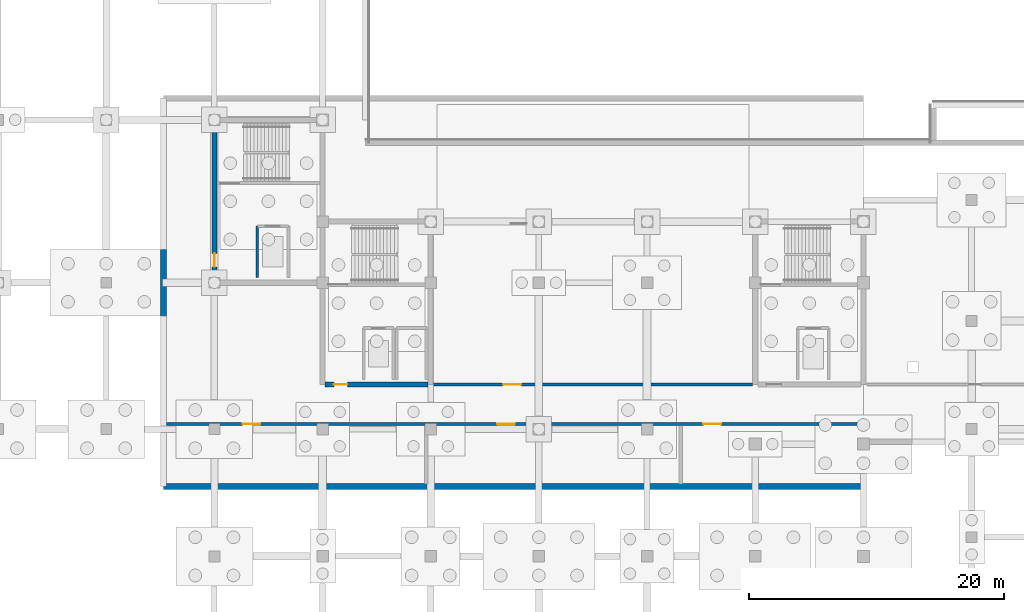
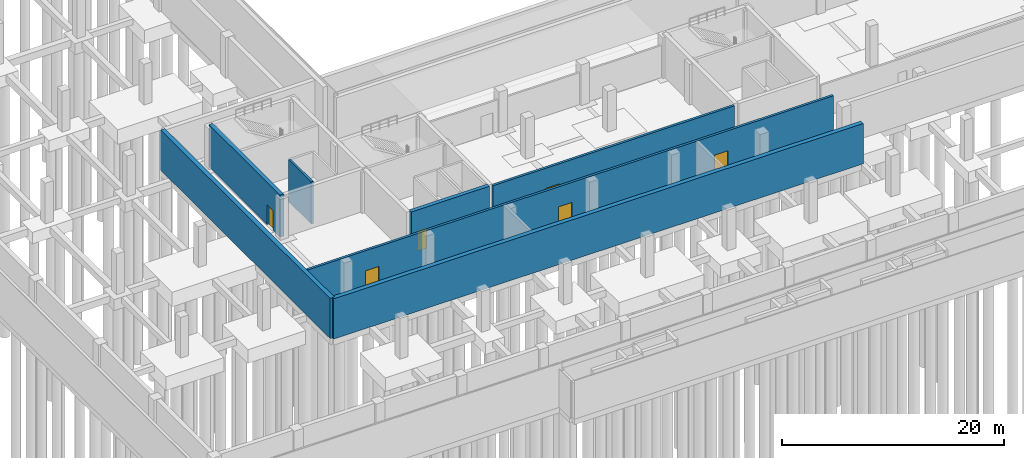
# One storey, part 9 of 25: 7 walls, 6 doors, 6 openings.
"""IFC4 building model written with IfcOpenShell, lengths in metres."""

from ifc_helpers import new_model, si_unit, direction, frame, frame_2d, origin, place, context, subcontext, project, spatial, rectangle, extrude, material, layer, layer_set, type_object, element, fill, save


model = new_model("IFC4")

# Units and contexts
model_context = context("Model", 3, precision=1e-05, world=origin(), true_north=direction((0.0, 1.0)))
body_context = subcontext(model_context, "Body", "Model", "MODEL_VIEW")
ifc_project = project(units=[si_unit("LENGTHUNIT", "METRE"), si_unit("AREAUNIT", "SQUARE_METRE"), si_unit("VOLUMEUNIT", "CUBIC_METRE"), si_unit("PLANEANGLEUNIT", "RADIAN"), si_unit("MASSUNIT", "GRAM", prefix="KILO")], contexts=[model_context])

# Site, building, storey
site_placement = place(None, origin())
site = spatial("IfcSite", under=ifc_project, at=site_placement, CompositionType="ELEMENT")
building_placement = place(site_placement, origin())
building = spatial("IfcBuilding", under=site, at=building_placement, Name="Solvikara Media Centre", CompositionType="ELEMENT")
storey_placement = place(building_placement, frame((0.0, 0.0, -4.800048828125)))
storey = spatial("IfcBuildingStorey", under=building, at=storey_placement, Name="B01", CompositionType="ELEMENT", Elevation=-4.800048828125)

# Walls
ifc_material_1 = material(Name="Concrete fc' 45 MPa (C45/55)", Category="concrete")
ifc_layer_1 = layer(ifc_material_1, 0.449951171875)
ifc_layer_set_1 = layer_set([ifc_layer_1], Name="Concrete fc' 45 MPa (C45/55)")
wall_type_1 = type_object("IfcWallType", Name="WT-01", PredefinedType="SHEAR", material=ifc_layer_set_1)
wall_1_placement = place(storey_placement, frame((21.5, 16.0, 0.0), z_axis=(0.0, 0.0, 1.0), x_axis=(1.0, 0.0, 0.0)))
element("IfcWall", 1, at=wall_1_placement, inside=storey, type_object=wall_type_1, Name="W-B01-01", PredefinedType="SHEAR", context=body_context, shape_type="SweptSolid", body=[
    extrude(rectangle(XDim=55.0, YDim=0.449951171875, at=frame_2d((27.5, 0.0))), origin(), (0.0, 0.0, 1.0), 4.420166015625),
])
wall_2_placement = place(storey_placement, frame((21.5, 16.0, 0.0), z_axis=(0.0, 0.0, 1.0), x_axis=(0.0, 1.0, 0.0)))
element("IfcWall", 2, at=wall_2_placement, inside=storey, type_object=wall_type_1, Name="W-B01-02", PredefinedType="SHEAR", context=body_context, shape_type="SweptSolid", body=[
    extrude(rectangle(XDim=30.5, YDim=0.449951171875, at=frame_2d((15.25, 0.0))), origin(), (0.0, 0.0, 1.0), 4.420166015625),
])

# Wall, opening, door
ifc_layer_2 = layer(ifc_material_1, 0.39990234375)
ifc_layer_set_2 = layer_set([ifc_layer_2], Name="Concrete fc' 45 MPa (C45/55)")
wall_type_2 = type_object("IfcWallType", Name="WT-02", PredefinedType="SHEAR", material=ifc_layer_set_2)
wall_3_placement = place(storey_placement, frame((25.5, 32.0, 0.0), z_axis=(0.0, 0.0, 1.0), x_axis=(0.0, 1.0, 0.0)))
wall_3 = element("IfcWall", 3, at=wall_3_placement, inside=storey, type_object=wall_type_2, Name="CW-C1-B01-W", PredefinedType="SHEAR", context=body_context, shape_type="SweptSolid", body=[
    extrude(rectangle(XDim=12.800048828125, YDim=0.39990234375, at=frame_2d((6.39990234375, 0.0))), origin(), (0.0, 0.0, 1.0), 4.64013671875),
])
opening_1_placement = place(wall_3_placement, frame((1.25, 0.0, 0.0)))
opening_1 = element("IfcOpeningElement", 4, at=opening_1_placement, cuts=wall_3, Name="Opening D-C1-B01-LOB", PredefinedType="OPENING", context=body_context, shape_type="SweptSolid", body=[
    extrude(rectangle(XDim=1.050048828125, YDim=2.14990234375, at=frame_2d((0.52490234375, 1.074951171875))), frame((0.0, 0.2119140625, 0.0), z_axis=(0.0, -1.0, 0.0), x_axis=(1.0, 0.0, 0.0)), (0.0, 0.0, 1.0), 0.423828125),
])
ifc_material_2 = material(Name="Insulated fire-rated steel door leaf", Category="steel")
door_type_1 = type_object("IfcDoorType", Name="DT-10", OperationType="NOTDEFINED", PredefinedType="DOOR", material=ifc_material_2)
door_1_placement = place(opening_1_placement, origin())
door_1 = element("IfcDoor", 5, at=door_1_placement, inside=storey, type_object=door_type_1, Name="D-C1-B01-LOB", OperationType="SINGLE_SWING_RIGHT", OverallHeight=2.14990234375, OverallWidth=1.050048828125, PredefinedType="DOOR", context=body_context, shape_type="SweptSolid", body=[
    extrude(rectangle(XDim=1.050048828125, YDim=2.14990234375, at=frame_2d((0.52490234375, 1.074951171875))), frame((0.0, 0.02490234375, 0.0), z_axis=(0.0, -1.0, 0.0), x_axis=(1.0, 0.0, 0.0)), (0.0, 0.0, 1.0), 0.050048828125),
])
fill(opening_1, door_1)

wall_4_placement = place(storey_placement, frame((34.199951171875, 24.0, 0.0), z_axis=(0.0, 0.0, 1.0), x_axis=(1.0, 0.0, 0.0)))
wall_4 = element("IfcWall", 6, at=wall_4_placement, inside=storey, type_object=wall_type_2, Name="CW-C2-B01-S", PredefinedType="SHEAR", context=body_context, shape_type="SweptSolid", body=[
    extrude(rectangle(XDim=8.10009765625, YDim=0.39990234375, at=frame_2d((4.050048828125, 0.0))), origin(), (0.0, 0.0, 1.0), 4.64013671875),
])
opening_2_placement = place(wall_4_placement, frame((0.699951171875, 0.0, 0.0)))
opening_2 = element("IfcOpeningElement", 7, at=opening_2_placement, cuts=wall_4, Name="Opening D-C2-B01-LOB", PredefinedType="OPENING", context=body_context, shape_type="SweptSolid", body=[
    extrude(rectangle(XDim=1.050048828125, YDim=2.14990234375, at=frame_2d((0.52490234375, 1.074951171875))), frame((0.0, 0.2119140625, 0.0), z_axis=(0.0, -1.0, 0.0), x_axis=(1.0, 0.0, 0.0)), (0.0, 0.0, 1.0), 0.423828125),
])
door_2_placement = place(opening_2_placement, frame((1.050048828125, 0.0, 0.0), z_axis=(0.0, 0.0, 1.0), x_axis=(-1.0, 0.0, 0.0)))
door_2 = element("IfcDoor", 8, at=door_2_placement, inside=storey, type_object=door_type_1, Name="D-C2-B01-LOB", OperationType="SINGLE_SWING_RIGHT", OverallHeight=2.14990234375, OverallWidth=1.050048828125, PredefinedType="DOOR", context=body_context, shape_type="SweptSolid", body=[
    extrude(rectangle(XDim=1.050048828125, YDim=2.14990234375, at=frame_2d((0.52490234375, 1.074951171875))), frame((0.0, 0.02490234375, 0.0), z_axis=(0.0, -1.0, 0.0), x_axis=(1.0, 0.0, 0.0)), (0.0, 0.0, 1.0), 0.050048828125),
])
fill(opening_2, door_2)

# Wall, openings, doors
ifc_layer_3 = layer(ifc_material_1, 0.25)
ifc_layer_set_3 = layer_set([ifc_layer_3], Name="Concrete fc' 45 MPa (C45/55)")
wall_type_3 = type_object("IfcWallType", Name="WT-07", PredefinedType="STANDARD", material=ifc_layer_set_3)
wall_5_placement = place(storey_placement, frame((21.719970703125, 20.89990234375, 0.0), z_axis=(0.0, 0.0, 1.0), x_axis=(1.0, 0.0, 0.0)))
wall_5 = element("IfcWall", 9, at=wall_5_placement, inside=storey, type_object=wall_type_3, Name="PW-B01-001", PredefinedType="STANDARD", context=body_context, shape_type="SweptSolid", body=[
    extrude(rectangle(XDim=54.580078125, YDim=0.25, at=frame_2d((27.2900390625, 0.0))), origin(), (0.0, 0.0, 1.0), 4.5),
])
opening_3_placement = place(wall_5_placement, frame((6.0, 0.0, 0.0)))
opening_3 = element("IfcOpeningElement", 10, at=opening_3_placement, cuts=wall_5, Name="Opening D-B01-001-1", PredefinedType="OPENING", context=body_context, shape_type="SweptSolid", body=[
    extrude(rectangle(XDim=1.39990234375, YDim=2.300048828125, at=frame_2d((0.699951171875, 1.14990234375))), frame((0.0, 0.136962890625, 0.0), z_axis=(0.0, -1.0, 0.0), x_axis=(1.0, 0.0, 0.0)), (0.0, 0.0, 1.0), 0.27392578125),
])
opening_4_placement = place(wall_5_placement, frame((26.0, 0.0, 0.0)))
opening_4 = element("IfcOpeningElement", 11, at=opening_4_placement, cuts=wall_5, Name="Opening D-B01-001-2", PredefinedType="OPENING", context=body_context, shape_type="SweptSolid", body=[
    extrude(rectangle(XDim=1.39990234375, YDim=2.300048828125, at=frame_2d((0.699951171875, 1.14990234375))), frame((0.0, 0.136962890625, 0.0), z_axis=(0.0, -1.0, 0.0), x_axis=(1.0, 0.0, 0.0)), (0.0, 0.0, 1.0), 0.27392578125),
])
opening_5_placement = place(wall_5_placement, frame((42.199951171875, 0.0, 0.0)))
opening_5 = element("IfcOpeningElement", 12, at=opening_5_placement, cuts=wall_5, Name="Opening D-B01-001-3", PredefinedType="OPENING", context=body_context, shape_type="SweptSolid", body=[
    extrude(rectangle(XDim=1.39990234375, YDim=2.300048828125, at=frame_2d((0.699951171875, 1.14990234375))), frame((0.0, 0.136962890625, 0.0), z_axis=(0.0, -1.0, 0.0), x_axis=(1.0, 0.0, 0.0)), (0.0, 0.0, 1.0), 0.27392578125),
])
door_type_2 = type_object("IfcDoorType", Name="DT-14", OperationType="DOUBLE_DOOR_SINGLE_SWING", PredefinedType="DOOR", material=ifc_material_2)
door_3_placement = place(opening_3_placement, origin())
door_3 = element("IfcDoor", 13, at=door_3_placement, inside=storey, type_object=door_type_2, Name="D-B01-001-1", OperationType="DOUBLE_DOOR_SINGLE_SWING", OverallHeight=2.300048828125, OverallWidth=1.39990234375, PredefinedType="DOOR", context=body_context, shape_type="SweptSolid", body=[
    extrude(rectangle(XDim=1.39990234375, YDim=2.300048828125, at=frame_2d((0.699951171875, 1.14990234375))), frame((0.0, 0.02490234375, 0.0), z_axis=(0.0, -1.0, 0.0), x_axis=(1.0, 0.0, 0.0)), (0.0, 0.0, 1.0), 0.050048828125),
])
fill(opening_3, door_3)
door_4_placement = place(opening_4_placement, origin())
door_4 = element("IfcDoor", 14, at=door_4_placement, inside=storey, type_object=door_type_2, Name="D-B01-001-2", OperationType="DOUBLE_DOOR_SINGLE_SWING", OverallHeight=2.300048828125, OverallWidth=1.39990234375, PredefinedType="DOOR", context=body_context, shape_type="SweptSolid", body=[
    extrude(rectangle(XDim=1.39990234375, YDim=2.300048828125, at=frame_2d((0.699951171875, 1.14990234375))), frame((0.0, 0.02490234375, 0.0), z_axis=(0.0, -1.0, 0.0), x_axis=(1.0, 0.0, 0.0)), (0.0, 0.0, 1.0), 0.050048828125),
])
fill(opening_4, door_4)
door_5_placement = place(opening_5_placement, origin())
door_5 = element("IfcDoor", 15, at=door_5_placement, inside=storey, type_object=door_type_2, Name="D-B01-001-3", OperationType="DOUBLE_DOOR_SINGLE_SWING", OverallHeight=2.300048828125, OverallWidth=1.39990234375, PredefinedType="DOOR", context=body_context, shape_type="SweptSolid", body=[
    extrude(rectangle(XDim=1.39990234375, YDim=2.300048828125, at=frame_2d((0.699951171875, 1.14990234375))), frame((0.0, 0.02490234375, 0.0), z_axis=(0.0, -1.0, 0.0), x_axis=(1.0, 0.0, 0.0)), (0.0, 0.0, 1.0), 0.050048828125),
])
fill(opening_5, door_5)

# Wall, opening, door
wall_6_placement = place(storey_placement, frame((42.699951171875, 24.0, 0.0), z_axis=(0.0, 0.0, 1.0), x_axis=(1.0, 0.0, 0.0)))
wall_6 = element("IfcWall", 16, at=wall_6_placement, inside=storey, type_object=wall_type_3, Name="PW-B01-004", PredefinedType="STANDARD", context=body_context, shape_type="SweptSolid", body=[
    extrude(rectangle(XDim=25.10009765625, YDim=0.25, at=frame_2d((12.550048828125, 0.0))), origin(), (0.0, 0.0, 1.0), 4.5),
])
opening_6_placement = place(wall_6_placement, frame((5.5, 0.0, 0.0)))
opening_6 = element("IfcOpeningElement", 17, at=opening_6_placement, cuts=wall_6, Name="Opening D-B01-004-1", PredefinedType="OPENING", context=body_context, shape_type="SweptSolid", body=[
    extrude(rectangle(XDim=1.39990234375, YDim=2.300048828125, at=frame_2d((0.699951171875, 1.14990234375))), frame((0.0, 0.136962890625, 0.0), z_axis=(0.0, -1.0, 0.0), x_axis=(1.0, 0.0, 0.0)), (0.0, 0.0, 1.0), 0.27392578125),
])
door_6_placement = place(opening_6_placement, origin())
door_6 = element("IfcDoor", 18, at=door_6_placement, inside=storey, type_object=door_type_2, Name="D-B01-004-1", OperationType="DOUBLE_DOOR_SINGLE_SWING", OverallHeight=2.300048828125, OverallWidth=1.39990234375, PredefinedType="DOOR", context=body_context, shape_type="SweptSolid", body=[
    extrude(rectangle(XDim=1.39990234375, YDim=2.300048828125, at=frame_2d((0.699951171875, 1.14990234375))), frame((0.0, 0.02490234375, 0.0), z_axis=(0.0, -1.0, 0.0), x_axis=(1.0, 0.0, 0.0)), (0.0, 0.0, 1.0), 0.050048828125),
])
fill(opening_6, door_6)

# Wall
ifc_material_3 = material(Name="Fire-rated gypsum and mineral-wool shaft wall assembly")
ifc_layer_4 = layer(ifc_material_3, 0.2099609375)
ifc_layer_set_4 = layer_set([ifc_layer_4], Name="Fire-rated gypsum and mineral-wool shaft wall assembly")
wall_type_4 = type_object("IfcWallType", Name="WT-17", PredefinedType="PARTITIONING", material=ifc_layer_set_4)
wall_7_placement = place(storey_placement, frame((28.8798828125, 32.39990234375, 0.0), z_axis=(0.0, 0.0, 1.0), x_axis=(0.0, 1.0, 0.0)))
element("IfcWall", 19, at=wall_7_placement, inside=storey, type_object=wall_type_4, Name="LW-LF-S1-B01-W", PredefinedType="PARTITIONING", context=body_context, shape_type="SweptSolid", body=[
    extrude(rectangle(XDim=4.050048828125, YDim=0.2099609375, at=frame_2d((2.02490234375, 0.0))), origin(), (0.0, 0.0, 1.0), 4.64013671875),
])

save(model, "model.ifc")
